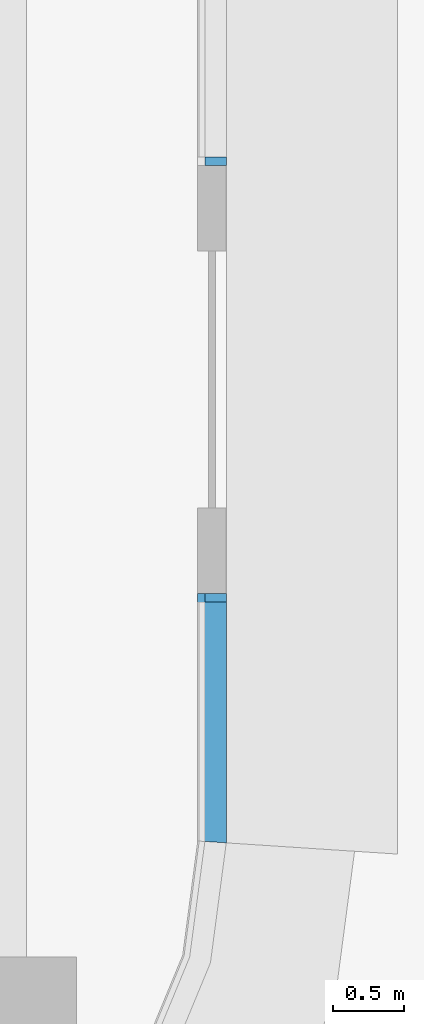
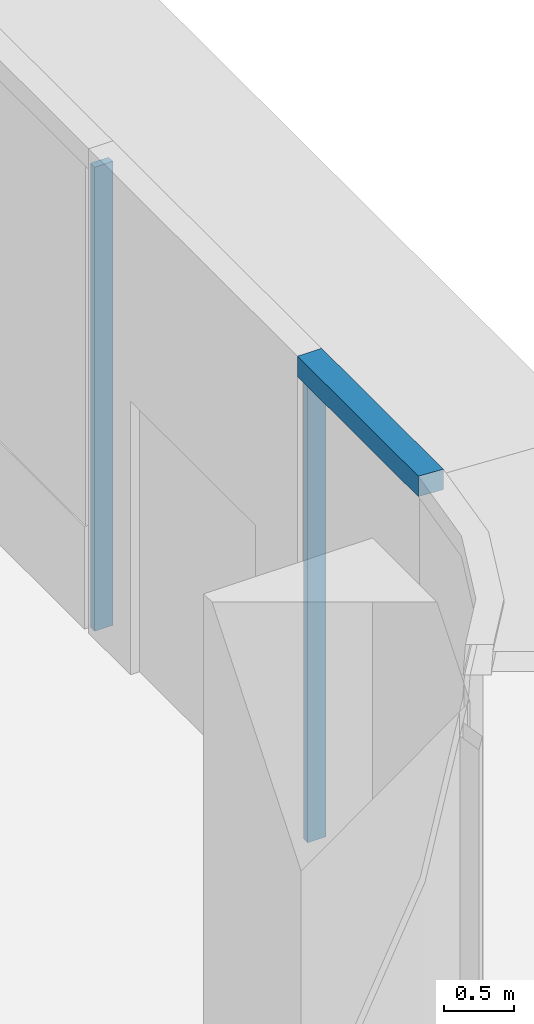
# One storey, part 13 of 22: 3 members, 2 elements without a shape of their own.
"""IFC4 building model written with IfcOpenShell, lengths in metres."""

from ifc_helpers import new_model, si_unit, direction, frame, origin, origin_2d, place, context, subcontext, project, spatial, polyline, rectangle, outline, extrude, source, transform, mapped, material, layer, layer_set, material_profile, profile_set, type_object, element, aggregate, save


model = new_model("IFC4")

# Units and contexts
model_context = context("Model", 3, precision=1e-05, world=origin(), true_north=direction((0.0, 1.0)))
body_context = subcontext(model_context, "Body", "Model", "MODEL_VIEW")
ifc_project = project(units=[si_unit("LENGTHUNIT", "METRE"), si_unit("AREAUNIT", "SQUARE_METRE"), si_unit("VOLUMEUNIT", "CUBIC_METRE"), si_unit("PLANEANGLEUNIT", "RADIAN"), si_unit("MASSUNIT", "GRAM", prefix="KILO")], contexts=[model_context])

# Site, building, storey
site_placement = place(None, origin())
site = spatial("IfcSite", under=ifc_project, at=site_placement, CompositionType="ELEMENT")
building_placement = place(site_placement, origin())
building = spatial("IfcBuilding", under=site, at=building_placement, Name="Trellis Farm Tower", CompositionType="ELEMENT")
storey_placement = place(building_placement, frame((0.0, 0.0, 43.0)))
storey = spatial("IfcBuildingStorey", under=building, at=storey_placement, Name="L08", CompositionType="ELEMENT", Elevation=43.0)

# Curtain wall, member
ifc_material_1 = material(Name="Aluminium and glass curtain wall", Category="aluminium")
ifc_layer_1 = layer(ifc_material_1, 0.18994140625)
ifc_layer_set_1 = layer_set([ifc_layer_1], Name="RIBBON CURTAIN WALL CW1")
curtain_wall_type = type_object("IfcCurtainWallType", Name="RIBBON CURTAIN WALL CW1", PredefinedType="NOTDEFINED", material=ifc_layer_set_1)
placement = place(storey_placement, origin())
curtain_wall_1 = element("IfcCurtainWall", 1, at=placement, inside=storey, type_object=curtain_wall_type, Name="CW1 006", PredefinedType="NOTDEFINED")
ifc_material_2 = material(Name="Aluminium extrusion 6063-T6", Category="aluminium")
ifc_material_profile = material_profile(ifc_material_2, rectangle(XDim=0.06005859375, YDim=0.14990234375, at=origin_2d()), Name="MULLION 60x150")
ifc_profile_set = profile_set([ifc_material_profile], Name="Aluminium extrusion 6063-T6")
member_type_1 = type_object("IfcMemberType", Name="CW1 MULLION 60x150", PredefinedType="MULLION", material=ifc_profile_set)
shared_shape_1 = source(origin(), body_context, "Body", "SweptSolid", [
    extrude(rectangle(XDim=0.06005859375, YDim=0.14990234375, at=origin_2d()), origin(), (0.0, 0.0, 1.0), 4.070068359375),
])
member_1_placement = place(storey_placement, frame((32.425048828125, -1.530029296875, 0.0), z_axis=(0.0, 0.0, 1.0), x_axis=(0.0, 1.0, 0.0)))
member_1 = element("IfcMember", 2, at=member_1_placement, type_object=member_type_1, Name="MU1 006-01", PredefinedType="MULLION", context=body_context, shape_type="MappedRepresentation", body=[
    mapped(shared_shape_1, transform((0.0, 0.0, 0.0))),
])

curtain_wall_2 = element("IfcCurtainWall", 3, at=placement, inside=storey, type_object=curtain_wall_type, Name="CW1 007", PredefinedType="NOTDEFINED")
member_2_placement = place(storey_placement, frame((32.425048828125, 1.530029296875, 0.0), z_axis=(0.0, 0.0, 1.0), x_axis=(0.0, 1.0, 0.0)))
member_2 = element("IfcMember", 4, at=member_2_placement, type_object=member_type_1, Name="MU1 007-01", PredefinedType="MULLION", context=body_context, shape_type="MappedRepresentation", body=[
    mapped(shared_shape_1, transform((0.0, 0.0, 0.0))),
])
aggregate(curtain_wall_2, [member_2])

# Member
ifc_layer_2 = layer(ifc_material_2, 0.199951171875)
ifc_layer_set_2 = layer_set([ifc_layer_2], Name="Aluminium extrusion 6063-T6")
member_type_2 = type_object("IfcMemberType", Name="CW1 TRANSOM 200x180", PredefinedType="USERDEFINED", material=ifc_layer_set_2)
shared_shape_2 = source(origin(), body_context, "Body", "SweptSolid", [
    extrude(outline(polyline([(32.5, -3.25), (32.5, -1.5), (32.300048828125, -1.5), (32.300048828125, -3.23681640625), (32.5, -3.25)])), origin(), (0.0, 0.0, 1.0), 0.179931640625),
])
member_3_placement = place(storey_placement, frame((0.0, 0.0, 4.070068359375)))
member_3 = element("IfcMember", 5, at=member_3_placement, type_object=member_type_2, Name="TR1 006", ObjectType="TRANSOM", PredefinedType="USERDEFINED", context=body_context, shape_type="MappedRepresentation", body=[
    mapped(shared_shape_2, transform((0.0, 0.0, 0.0))),
])

aggregate(curtain_wall_1, [member_1, member_3])

save(model, "model.ifc")
